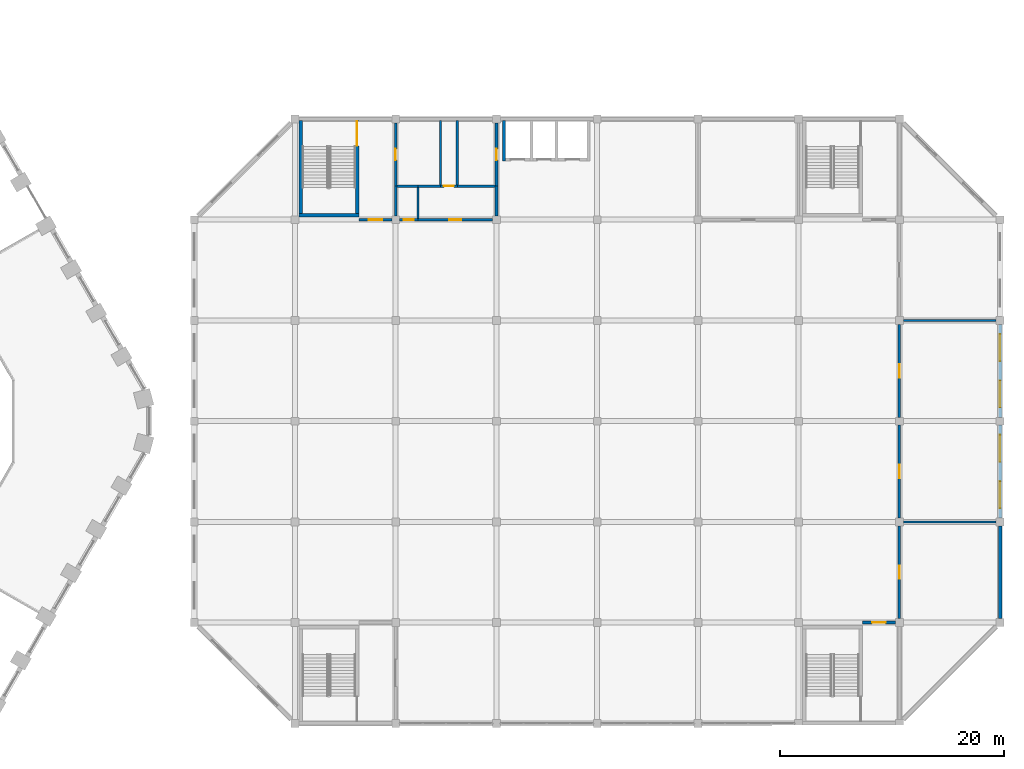
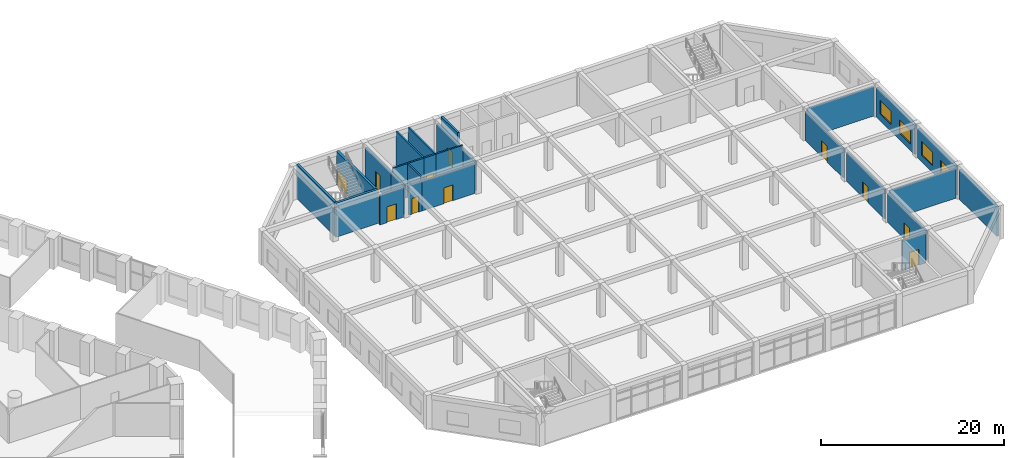
# One storey, part 27 of 42: 27 walls, 11 doors, 4 windows, 15 openings.
"""IFC4 building model written with IfcOpenShell, lengths in metres."""

from ifc_helpers import new_model, si_unit, direction, frame, frame_2d, origin, place, context, subcontext, project, spatial, rectangle, extrude, material, layer, layer_set, type_object, element, fill, save


model = new_model("IFC4")

# Units and contexts
model_context = context("Model", 3, precision=1e-05, world=origin(), true_north=direction((0.0, 1.0)))
body_context = subcontext(model_context, "Body", "Model", "MODEL_VIEW")
ifc_project = project(units=[si_unit("LENGTHUNIT", "METRE"), si_unit("AREAUNIT", "SQUARE_METRE"), si_unit("VOLUMEUNIT", "CUBIC_METRE"), si_unit("PLANEANGLEUNIT", "RADIAN"), si_unit("MASSUNIT", "GRAM", prefix="KILO")], contexts=[model_context])

# Site, building, storey
site_placement = place(None, origin())
site = spatial("IfcSite", under=ifc_project, at=site_placement, CompositionType="ELEMENT")
building_placement = place(site_placement, origin())
building = spatial("IfcBuilding", under=site, at=building_placement, Name="Dhurran Vertical Campus", CompositionType="ELEMENT")
storey_placement = place(building_placement, frame((0.0, 0.0, 6.0)))
storey = spatial("IfcBuildingStorey", under=building, at=storey_placement, Name="L01", CompositionType="ELEMENT", Elevation=6.0)

# Wall
ifc_material_1 = material(Name="Precast concrete C40/50", Category="concrete")
ifc_layer_1 = layer(ifc_material_1, 0.300048828125)
ifc_layer_set_1 = layer_set([ifc_layer_1], Name="Precast concrete C40/50")
wall_type_1 = type_object("IfcWallType", Name="hl-external wall precast 300", PredefinedType="SOLIDWALL", material=ifc_layer_set_1)
wall_1_placement = place(storey_placement, frame((133.5, -17.64990234375, 0.0), z_axis=(0.0, 0.0, 1.0), x_axis=(0.0, 1.0, 0.0)))
element("IfcWall", 1, at=wall_1_placement, inside=storey, type_object=wall_type_1, Name="Hall external wall L01-014", PredefinedType="SOLIDWALL", context=body_context, shape_type="SweptSolid", body=[
    extrude(rectangle(XDim=8.2998046875, YDim=0.300048828125, at=frame_2d((4.14990234375, 0.0))), origin(), (0.0, 0.0, 1.0), 3.89990234375),
])

# Wall, openings, windows
wall_2_placement = place(storey_placement, frame((133.5, -8.64990234375, 0.0), z_axis=(0.0, 0.0, 1.0), x_axis=(0.0, 1.0, 0.0)))
wall_2 = element("IfcWall", 2, at=wall_2_placement, inside=storey, type_object=wall_type_1, Name="Hall external wall L01-016", PredefinedType="SOLIDWALL", context=body_context, shape_type="SweptSolid", body=[
    extrude(rectangle(XDim=8.2998046875, YDim=0.300048828125, at=frame_2d((4.14990234375, 0.0))), origin(), (0.0, 0.0, 1.0), 3.89990234375),
])
opening_1_placement = place(wall_2_placement, frame((0.875, 0.0, 0.89990234375)))
opening_1 = element("IfcOpeningElement", 3, at=opening_1_placement, cuts=wall_2, Name="Opening HWN1", PredefinedType="OPENING", context=body_context, shape_type="SweptSolid", body=[
    extrude(rectangle(XDim=2.39990234375, YDim=1.800048828125, at=frame_2d((1.199951171875, 0.89990234375))), frame((0.0, 0.159912109375, 0.0), z_axis=(0.0, -1.0, 0.0), x_axis=(1.0, 0.0, 0.0)), (0.0, 0.0, 1.0), 0.320068359375),
])
opening_2_placement = place(wall_2_placement, frame((5.02490234375, 0.0, 0.89990234375)))
opening_2 = element("IfcOpeningElement", 4, at=opening_2_placement, cuts=wall_2, Name="Opening HWN1", PredefinedType="OPENING", context=body_context, shape_type="SweptSolid", body=[
    extrude(rectangle(XDim=2.39990234375, YDim=1.800048828125, at=frame_2d((1.199951171875, 0.89990234375))), frame((0.0, 0.159912109375, 0.0), z_axis=(0.0, -1.0, 0.0), x_axis=(1.0, 0.0, 0.0)), (0.0, 0.0, 1.0), 0.320068359375),
])
ifc_material_2 = material(Name="Aluminium", Category="aluminium")
window_type = type_object("IfcWindowType", Name="hl-window 2400x1800", PartitioningType="SINGLE_PANEL", PredefinedType="WINDOW", material=ifc_material_2)
window_1_placement = place(opening_1_placement, origin())
window_1 = element("IfcWindow", 5, at=window_1_placement, inside=storey, type_object=window_type, Name="Hall window L01-015", OverallHeight=1.800048828125, OverallWidth=2.39990234375, PartitioningType="SINGLE_PANEL", PredefinedType="WINDOW", context=body_context, shape_type="SweptSolid", body=[
    extrude(rectangle(XDim=2.39990234375, YDim=1.800048828125, at=frame_2d((1.199951171875, 0.89990234375))), frame((0.0, 0.030029296875, 0.0), z_axis=(0.0, -1.0, 0.0), x_axis=(1.0, 0.0, 0.0)), (0.0, 0.0, 1.0), 0.06005859375),
])
fill(opening_1, window_1)
window_2_placement = place(opening_2_placement, origin())
window_2 = element("IfcWindow", 6, at=window_2_placement, inside=storey, type_object=window_type, Name="Hall window L01-016", OverallHeight=1.800048828125, OverallWidth=2.39990234375, PartitioningType="SINGLE_PANEL", PredefinedType="WINDOW", context=body_context, shape_type="SweptSolid", body=[
    extrude(rectangle(XDim=2.39990234375, YDim=1.800048828125, at=frame_2d((1.199951171875, 0.89990234375))), frame((0.0, 0.030029296875, 0.0), z_axis=(0.0, -1.0, 0.0), x_axis=(1.0, 0.0, 0.0)), (0.0, 0.0, 1.0), 0.06005859375),
])
fill(opening_2, window_2)

wall_3_placement = place(storey_placement, frame((133.5, 0.35009765625, 0.0), z_axis=(0.0, 0.0, 1.0), x_axis=(0.0, 1.0, 0.0)))
wall_3 = element("IfcWall", 7, at=wall_3_placement, inside=storey, type_object=wall_type_1, Name="Hall external wall L01-018", PredefinedType="SOLIDWALL", context=body_context, shape_type="SweptSolid", body=[
    extrude(rectangle(XDim=8.2998046875, YDim=0.300048828125, at=frame_2d((4.14990234375, 0.0))), origin(), (0.0, 0.0, 1.0), 3.89990234375),
])
opening_3_placement = place(wall_3_placement, frame((0.875, 0.0, 0.89990234375)))
opening_3 = element("IfcOpeningElement", 8, at=opening_3_placement, cuts=wall_3, Name="Opening HWN1", PredefinedType="OPENING", context=body_context, shape_type="SweptSolid", body=[
    extrude(rectangle(XDim=2.39990234375, YDim=1.800048828125, at=frame_2d((1.199951171875, 0.89990234375))), frame((0.0, 0.159912109375, 0.0), z_axis=(0.0, -1.0, 0.0), x_axis=(1.0, 0.0, 0.0)), (0.0, 0.0, 1.0), 0.320068359375),
])
opening_4_placement = place(wall_3_placement, frame((5.02490234375, 0.0, 0.89990234375)))
opening_4 = element("IfcOpeningElement", 9, at=opening_4_placement, cuts=wall_3, Name="Opening HWN1", PredefinedType="OPENING", context=body_context, shape_type="SweptSolid", body=[
    extrude(rectangle(XDim=2.39990234375, YDim=1.800048828125, at=frame_2d((1.199951171875, 0.89990234375))), frame((0.0, 0.159912109375, 0.0), z_axis=(0.0, -1.0, 0.0), x_axis=(1.0, 0.0, 0.0)), (0.0, 0.0, 1.0), 0.320068359375),
])
window_3_placement = place(opening_3_placement, origin())
window_3 = element("IfcWindow", 10, at=window_3_placement, inside=storey, type_object=window_type, Name="Hall window L01-017", OverallHeight=1.800048828125, OverallWidth=2.39990234375, PartitioningType="SINGLE_PANEL", PredefinedType="WINDOW", context=body_context, shape_type="SweptSolid", body=[
    extrude(rectangle(XDim=2.39990234375, YDim=1.800048828125, at=frame_2d((1.199951171875, 0.89990234375))), frame((0.0, 0.030029296875, 0.0), z_axis=(0.0, -1.0, 0.0), x_axis=(1.0, 0.0, 0.0)), (0.0, 0.0, 1.0), 0.06005859375),
])
fill(opening_3, window_3)
window_4_placement = place(opening_4_placement, origin())
window_4 = element("IfcWindow", 11, at=window_4_placement, inside=storey, type_object=window_type, Name="Hall window L01-018", OverallHeight=1.800048828125, OverallWidth=2.39990234375, PartitioningType="SINGLE_PANEL", PredefinedType="WINDOW", context=body_context, shape_type="SweptSolid", body=[
    extrude(rectangle(XDim=2.39990234375, YDim=1.800048828125, at=frame_2d((1.199951171875, 0.89990234375))), frame((0.0, 0.030029296875, 0.0), z_axis=(0.0, -1.0, 0.0), x_axis=(1.0, 0.0, 0.0)), (0.0, 0.0, 1.0), 0.06005859375),
])
fill(opening_4, window_4)

# Wall
ifc_material_3 = material(Name="Concrete C40/50", Category="concrete")
ifc_layer_2 = layer(ifc_material_3, 0.25)
ifc_layer_set_2 = layer_set([ifc_layer_2], Name="Concrete C40/50")
wall_type_2 = type_object("IfcWallType", Name="hl-lift shaft wall 250", PredefinedType="SHEAR", material=ifc_layer_set_2)
wall_4_placement = place(storey_placement, frame((89.175048828125, 23.25, 0.0), z_axis=(0.0, 0.0, 1.0), x_axis=(0.0, 1.0, 0.0)))
element("IfcWall", 12, at=wall_4_placement, inside=storey, type_object=wall_type_2, Name="Lift shaft wall V0 L01", PredefinedType="SHEAR", context=body_context, shape_type="SweptSolid", body=[
    extrude(rectangle(XDim=3.60009765625, YDim=0.25, at=frame_2d((1.800048828125, 0.0))), origin(), (0.0, 0.0, 1.0), 4.52001953125),
])

# Wall, opening, door
ifc_material_4 = material(Name="Masonry blockwork", Category="masonry")
ifc_layer_3 = layer(ifc_material_4, 0.199951171875)
ifc_layer_set_3 = layer_set([ifc_layer_3], Name="Masonry blockwork")
wall_type_3 = type_object("IfcWallType", Name="hl-partition blockwork 200 EI 60", PredefinedType="PARTITIONING", material=ifc_layer_set_3)
wall_5_placement = place(storey_placement, frame((79.85009765625, 18.0, 0.0), z_axis=(0.0, 0.0, 1.0), x_axis=(1.0, 0.0, 0.0)))
wall_5 = element("IfcWall", 13, at=wall_5_placement, inside=storey, type_object=wall_type_3, Name="Hall partition L01-005", PredefinedType="PARTITIONING", context=body_context, shape_type="SweptSolid", body=[
    extrude(rectangle(XDim=1.64990234375, YDim=0.199951171875, at=frame_2d((0.824951171875, 0.0))), origin(), (0.0, 0.0, 1.0), 3.89990234375),
])
opening_5_placement = place(wall_5_placement, frame((0.375, 0.0, 0.0)))
opening_5 = element("IfcOpeningElement", 14, at=opening_5_placement, cuts=wall_5, Name="Opening HD106", PredefinedType="OPENING", context=body_context, shape_type="SweptSolid", body=[
    extrude(rectangle(XDim=0.89990234375, YDim=2.10009765625, at=frame_2d((0.449951171875, 1.050048828125))), frame((0.0, 0.10986328125, 0.0), z_axis=(0.0, -1.0, 0.0), x_axis=(1.0, 0.0, 0.0)), (0.0, 0.0, 1.0), 0.219970703125),
])
ifc_material_5 = material(Name="Fire-rated steel door set", Category="steel")
door_type_1 = type_object("IfcDoorType", Name="hl-door 900x2100 single FD30S", OperationType="NOTDEFINED", PredefinedType="DOOR", material=ifc_material_5)
door_1_placement = place(opening_5_placement, origin())
door_1 = element("IfcDoor", 15, at=door_1_placement, inside=storey, type_object=door_type_1, Name="Door HD106", OperationType="SINGLE_SWING_RIGHT", OverallHeight=2.10009765625, OverallWidth=0.89990234375, PredefinedType="DOOR", context=body_context, shape_type="SweptSolid", body=[
    extrude(rectangle(XDim=0.89990234375, YDim=2.10009765625, at=frame_2d((0.449951171875, 1.050048828125))), frame((0.0, 0.02490234375, 0.0), z_axis=(0.0, -1.0, 0.0), x_axis=(1.0, 0.0, 0.0)), (0.0, 0.0, 1.0), 0.050048828125),
])
fill(opening_5, door_1)

# Walls
wall_6_placement = place(storey_placement, frame((79.60009765625, 21.0, 0.0), z_axis=(0.0, 0.0, 1.0), x_axis=(1.0, 0.0, 0.0)))
element("IfcWall", 16, at=wall_6_placement, inside=storey, type_object=wall_type_3, Name="Hall partition L01-007", PredefinedType="PARTITIONING", context=body_context, shape_type="SweptSolid", body=[
    extrude(rectangle(XDim=1.89990234375, YDim=0.199951171875, at=frame_2d((0.949951171875, 0.0))), origin(), (0.0, 0.0, 1.0), 4.52001953125),
])
wall_7_placement = place(storey_placement, frame((81.5, 18.10009765625, 0.0), z_axis=(0.0, 0.0, 1.0), x_axis=(0.0, 1.0, 0.0)))
element("IfcWall", 17, at=wall_7_placement, inside=storey, type_object=wall_type_3, Name="Hall partition L01-008", PredefinedType="PARTITIONING", context=body_context, shape_type="SweptSolid", body=[
    extrude(rectangle(XDim=2.89990234375, YDim=0.199951171875, at=frame_2d((1.449951171875, 0.0))), origin(), (0.0, 0.0, 1.0), 4.52001953125),
])

# Wall, opening, door
wall_8_placement = place(storey_placement, frame((81.5, 18.0, 0.0), z_axis=(0.0, 0.0, 1.0), x_axis=(1.0, 0.0, 0.0)))
wall_8 = element("IfcWall", 18, at=wall_8_placement, inside=storey, type_object=wall_type_3, Name="Hall partition L01-009", PredefinedType="PARTITIONING", context=body_context, shape_type="SweptSolid", body=[
    extrude(rectangle(XDim=6.64990234375, YDim=0.199951171875, at=frame_2d((3.324951171875, 0.0))), origin(), (0.0, 0.0, 1.0), 3.89990234375),
])
opening_6_placement = place(wall_8_placement, frame((2.77490234375, 0.0, 0.0)))
opening_6 = element("IfcOpeningElement", 19, at=opening_6_placement, cuts=wall_8, Name="Opening HD105", PredefinedType="OPENING", context=body_context, shape_type="SweptSolid", body=[
    extrude(rectangle(XDim=1.10009765625, YDim=2.10009765625, at=frame_2d((0.550048828125, 1.050048828125))), frame((0.0, 0.10986328125, 0.0), z_axis=(0.0, -1.0, 0.0), x_axis=(1.0, 0.0, 0.0)), (0.0, 0.0, 1.0), 0.219970703125),
])
ifc_material_6 = material(Name="Fire-rated steel door set", Category="steel")
door_type_2 = type_object("IfcDoorType", Name="hl-door 1100x2100 single FD30S", OperationType="NOTDEFINED", PredefinedType="DOOR", material=ifc_material_6)
door_2_placement = place(opening_6_placement, origin())
door_2 = element("IfcDoor", 20, at=door_2_placement, inside=storey, type_object=door_type_2, Name="Door HD105", OperationType="SINGLE_SWING_LEFT", OverallHeight=2.10009765625, OverallWidth=1.10009765625, PredefinedType="DOOR", context=body_context, shape_type="SweptSolid", body=[
    extrude(rectangle(XDim=1.10009765625, YDim=2.10009765625, at=frame_2d((0.550048828125, 1.050048828125))), frame((0.0, 0.02490234375, 0.0), z_axis=(0.0, -1.0, 0.0), x_axis=(1.0, 0.0, 0.0)), (0.0, 0.0, 1.0), 0.050048828125),
])
fill(opening_6, door_2)

# Walls
wall_9_placement = place(storey_placement, frame((81.5, 21.0, 0.0), z_axis=(0.0, 0.0, 1.0), x_axis=(1.0, 0.0, 0.0)))
element("IfcWall", 21, at=wall_9_placement, inside=storey, type_object=wall_type_3, Name="Hall partition L01-010", PredefinedType="PARTITIONING", context=body_context, shape_type="SweptSolid", body=[
    extrude(rectangle(XDim=2.0, YDim=0.199951171875, at=frame_2d((1.0, 0.0))), origin(), (0.0, 0.0, 1.0), 4.52001953125),
])
wall_10_placement = place(storey_placement, frame((83.5, 21.0, 0.0), z_axis=(0.0, 0.0, 1.0), x_axis=(0.0, 1.0, 0.0)))
element("IfcWall", 22, at=wall_10_placement, inside=storey, type_object=wall_type_3, Name="Hall partition L01-011", PredefinedType="PARTITIONING", context=body_context, shape_type="SweptSolid", body=[
    extrude(rectangle(XDim=5.85009765625, YDim=0.199951171875, at=frame_2d((2.925048828125, 0.0))), origin(), (0.0, 0.0, 1.0), 4.52001953125),
])

# Wall, opening, door
wall_11_placement = place(storey_placement, frame((83.5, 21.0, 0.0), z_axis=(0.0, 0.0, 1.0), x_axis=(1.0, 0.0, 0.0)))
wall_11 = element("IfcWall", 23, at=wall_11_placement, inside=storey, type_object=wall_type_3, Name="Hall partition L01-012", PredefinedType="PARTITIONING", context=body_context, shape_type="SweptSolid", body=[
    extrude(rectangle(XDim=1.5, YDim=0.199951171875, at=frame_2d((0.75, 0.0))), origin(), (0.0, 0.0, 1.0), 4.52001953125),
])
opening_7_placement = place(wall_11_placement, frame((0.300048828125, 0.0, 0.0)))
opening_7 = element("IfcOpeningElement", 24, at=opening_7_placement, cuts=wall_11, Name="Opening HD108", PredefinedType="OPENING", context=body_context, shape_type="SweptSolid", body=[
    extrude(rectangle(XDim=0.89990234375, YDim=2.10009765625, at=frame_2d((0.449951171875, 1.050048828125))), frame((0.0, 0.10986328125, 0.0), z_axis=(0.0, -1.0, 0.0), x_axis=(1.0, 0.0, 0.0)), (0.0, 0.0, 1.0), 0.219970703125),
])
door_3_placement = place(opening_7_placement, origin())
door_3 = element("IfcDoor", 25, at=door_3_placement, inside=storey, type_object=door_type_1, Name="Door HD108", OperationType="SINGLE_SWING_RIGHT", OverallHeight=2.10009765625, OverallWidth=0.89990234375, PredefinedType="DOOR", context=body_context, shape_type="SweptSolid", body=[
    extrude(rectangle(XDim=0.89990234375, YDim=2.10009765625, at=frame_2d((0.449951171875, 1.050048828125))), frame((0.0, 0.02490234375, 0.0), z_axis=(0.0, -1.0, 0.0), x_axis=(1.0, 0.0, 0.0)), (0.0, 0.0, 1.0), 0.050048828125),
])
fill(opening_7, door_3)

# Walls
wall_12_placement = place(storey_placement, frame((85.0, 21.0, 0.0), z_axis=(0.0, 0.0, 1.0), x_axis=(0.0, 1.0, 0.0)))
element("IfcWall", 26, at=wall_12_placement, inside=storey, type_object=wall_type_3, Name="Hall partition L01-013", PredefinedType="PARTITIONING", context=body_context, shape_type="SweptSolid", body=[
    extrude(rectangle(XDim=5.85009765625, YDim=0.199951171875, at=frame_2d((2.925048828125, 0.0))), origin(), (0.0, 0.0, 1.0), 4.52001953125),
])
wall_13_placement = place(storey_placement, frame((85.0, 21.0, 0.0), z_axis=(0.0, 0.0, 1.0), x_axis=(1.0, 0.0, 0.0)))
element("IfcWall", 27, at=wall_13_placement, inside=storey, type_object=wall_type_3, Name="Hall partition L01-014", PredefinedType="PARTITIONING", context=body_context, shape_type="SweptSolid", body=[
    extrude(rectangle(XDim=3.39990234375, YDim=0.199951171875, at=frame_2d((1.699951171875, 0.0))), origin(), (0.0, 0.0, 1.0), 4.52001953125),
])

# Wall, opening, door
wall_14_placement = place(storey_placement, frame((124.5, -17.64990234375, 0.0), z_axis=(0.0, 0.0, 1.0), x_axis=(0.0, 1.0, 0.0)))
wall_14 = element("IfcWall", 28, at=wall_14_placement, inside=storey, type_object=wall_type_3, Name="Hall partition L01-023", PredefinedType="PARTITIONING", context=body_context, shape_type="SweptSolid", body=[
    extrude(rectangle(XDim=8.2998046875, YDim=0.199951171875, at=frame_2d((4.14990234375, 0.0))), origin(), (0.0, 0.0, 1.0), 3.89990234375),
])
opening_8_placement = place(wall_14_placement, frame((3.550048828125, 0.0, 0.0)))
opening_8 = element("IfcOpeningElement", 29, at=opening_8_placement, cuts=wall_14, Name="Opening HD111", PredefinedType="OPENING", context=body_context, shape_type="SweptSolid", body=[
    extrude(rectangle(XDim=1.199951171875, YDim=2.10009765625, at=frame_2d((0.60009765625, 1.050048828125))), frame((0.0, 0.10986328125, 0.0), z_axis=(0.0, -1.0, 0.0), x_axis=(1.0, 0.0, 0.0)), (0.0, 0.0, 1.0), 0.219970703125),
])
ifc_material_7 = material(Name="Fire-rated steel door set", Category="steel")
door_type_3 = type_object("IfcDoorType", Name="hl-door 1200x2100 single FD30S", OperationType="NOTDEFINED", PredefinedType="DOOR", material=ifc_material_7)
door_4_placement = place(opening_8_placement, origin())
door_4 = element("IfcDoor", 30, at=door_4_placement, inside=storey, type_object=door_type_3, Name="Door HD111", OperationType="SINGLE_SWING_LEFT", OverallHeight=2.10009765625, OverallWidth=1.199951171875, PredefinedType="DOOR", context=body_context, shape_type="SweptSolid", body=[
    extrude(rectangle(XDim=1.199951171875, YDim=2.10009765625, at=frame_2d((0.60009765625, 1.050048828125))), frame((0.0, 0.02490234375, 0.0), z_axis=(0.0, -1.0, 0.0), x_axis=(1.0, 0.0, 0.0)), (0.0, 0.0, 1.0), 0.050048828125),
])
fill(opening_8, door_4)

wall_15_placement = place(storey_placement, frame((124.5, -8.64990234375, 0.0), z_axis=(0.0, 0.0, 1.0), x_axis=(0.0, 1.0, 0.0)))
wall_15 = element("IfcWall", 31, at=wall_15_placement, inside=storey, type_object=wall_type_3, Name="Hall partition L01-024", PredefinedType="PARTITIONING", context=body_context, shape_type="SweptSolid", body=[
    extrude(rectangle(XDim=8.2998046875, YDim=0.199951171875, at=frame_2d((4.14990234375, 0.0))), origin(), (0.0, 0.0, 1.0), 3.89990234375),
])
opening_9_placement = place(wall_15_placement, frame((3.550048828125, 0.0, 0.0)))
opening_9 = element("IfcOpeningElement", 32, at=opening_9_placement, cuts=wall_15, Name="Opening HD112", PredefinedType="OPENING", context=body_context, shape_type="SweptSolid", body=[
    extrude(rectangle(XDim=1.199951171875, YDim=2.10009765625, at=frame_2d((0.60009765625, 1.050048828125))), frame((0.0, 0.10986328125, 0.0), z_axis=(0.0, -1.0, 0.0), x_axis=(1.0, 0.0, 0.0)), (0.0, 0.0, 1.0), 0.219970703125),
])
door_5_placement = place(opening_9_placement, origin())
door_5 = element("IfcDoor", 33, at=door_5_placement, inside=storey, type_object=door_type_3, Name="Door HD112", OperationType="SINGLE_SWING_RIGHT", OverallHeight=2.10009765625, OverallWidth=1.199951171875, PredefinedType="DOOR", context=body_context, shape_type="SweptSolid", body=[
    extrude(rectangle(XDim=1.199951171875, YDim=2.10009765625, at=frame_2d((0.60009765625, 1.050048828125))), frame((0.0, 0.02490234375, 0.0), z_axis=(0.0, -1.0, 0.0), x_axis=(1.0, 0.0, 0.0)), (0.0, 0.0, 1.0), 0.050048828125),
])
fill(opening_9, door_5)

wall_16_placement = place(storey_placement, frame((124.5, 0.35009765625, 0.0), z_axis=(0.0, 0.0, 1.0), x_axis=(0.0, 1.0, 0.0)))
wall_16 = element("IfcWall", 34, at=wall_16_placement, inside=storey, type_object=wall_type_3, Name="Hall partition L01-025", PredefinedType="PARTITIONING", context=body_context, shape_type="SweptSolid", body=[
    extrude(rectangle(XDim=8.2998046875, YDim=0.199951171875, at=frame_2d((4.14990234375, 0.0))), origin(), (0.0, 0.0, 1.0), 3.89990234375),
])
opening_10_placement = place(wall_16_placement, frame((3.550048828125, 0.0, 0.0)))
opening_10 = element("IfcOpeningElement", 35, at=opening_10_placement, cuts=wall_16, Name="Opening HD113", PredefinedType="OPENING", context=body_context, shape_type="SweptSolid", body=[
    extrude(rectangle(XDim=1.199951171875, YDim=2.10009765625, at=frame_2d((0.60009765625, 1.050048828125))), frame((0.0, 0.10986328125, 0.0), z_axis=(0.0, -1.0, 0.0), x_axis=(1.0, 0.0, 0.0)), (0.0, 0.0, 1.0), 0.219970703125),
])
door_6_placement = place(opening_10_placement, origin())
door_6 = element("IfcDoor", 36, at=door_6_placement, inside=storey, type_object=door_type_3, Name="Door HD113", OperationType="SINGLE_SWING_LEFT", OverallHeight=2.10009765625, OverallWidth=1.199951171875, PredefinedType="DOOR", context=body_context, shape_type="SweptSolid", body=[
    extrude(rectangle(XDim=1.199951171875, YDim=2.10009765625, at=frame_2d((0.60009765625, 1.050048828125))), frame((0.0, 0.02490234375, 0.0), z_axis=(0.0, -1.0, 0.0), x_axis=(1.0, 0.0, 0.0)), (0.0, 0.0, 1.0), 0.050048828125),
])
fill(opening_10, door_6)

# Walls
for number, where, z_axis, x_axis, name in (
    (37, (124.85009765625, -9.0, 0.0), (0.0, 0.0, 1.0), (1.0, 0.0, 0.0), "Hall partition L01-026"),
    (38, (124.85009765625, 9.0, 0.0), (0.0, 0.0, 1.0), (1.0, 0.0, 0.0), "Hall partition L01-028"),
):
    element("IfcWall", number, at=place(storey_placement, frame(where, z_axis=z_axis, x_axis=x_axis)), inside=storey, type_object=wall_type_3, Name=name, PredefinedType="PARTITIONING", context=body_context, shape_type="SweptSolid", body=[
        extrude(rectangle(XDim=8.2998046875, YDim=0.199951171875, at=frame_2d((4.14990234375, 0.0))), origin(), (0.0, 0.0, 1.0), 3.89990234375),
    ])

# Wall, opening, door
ifc_material_8 = material(Name="Masonry blockwork", Category="masonry")
ifc_layer_4 = layer(ifc_material_8, 0.25)
ifc_layer_set_4 = layer_set([ifc_layer_4], Name="Masonry blockwork")
wall_type_4 = type_object("IfcWallType", Name="hl-partition blockwork 250 EI 120", PredefinedType="PARTITIONING", material=ifc_layer_set_4)
wall_17_placement = place(storey_placement, frame((76.199951171875, 18.0, 0.0), z_axis=(0.0, 0.0, 1.0), x_axis=(1.0, 0.0, 0.0)))
wall_17 = element("IfcWall", 39, at=wall_17_placement, inside=storey, type_object=wall_type_4, Name="Hall partition L01-002", PredefinedType="PARTITIONING", context=body_context, shape_type="SweptSolid", body=[
    extrude(rectangle(XDim=2.949951171875, YDim=0.25, at=frame_2d((1.47509765625, 0.0))), origin(), (0.0, 0.0, 1.0), 3.89990234375),
])
opening_11_placement = place(wall_17_placement, frame((0.875, 0.0, 0.0)))
opening_11 = element("IfcOpeningElement", 40, at=opening_11_placement, cuts=wall_17, Name="Opening HD103", PredefinedType="OPENING", context=body_context, shape_type="SweptSolid", body=[
    extrude(rectangle(XDim=1.199951171875, YDim=2.10009765625, at=frame_2d((0.60009765625, 1.050048828125))), frame((0.0, 0.135009765625, 0.0), z_axis=(0.0, -1.0, 0.0), x_axis=(1.0, 0.0, 0.0)), (0.0, 0.0, 1.0), 0.27001953125),
])
ifc_material_9 = material(Name="Fire-rated steel door set", Category="steel")
door_type_4 = type_object("IfcDoorType", Name="hl-door 1200x2100 single FD90", OperationType="NOTDEFINED", PredefinedType="DOOR", material=ifc_material_9)
door_7_placement = place(opening_11_placement, origin())
door_7 = element("IfcDoor", 41, at=door_7_placement, inside=storey, type_object=door_type_4, Name="Door HD103", OperationType="SINGLE_SWING_LEFT", OverallHeight=2.10009765625, OverallWidth=1.199951171875, PredefinedType="DOOR", context=body_context, shape_type="SweptSolid", body=[
    extrude(rectangle(XDim=1.199951171875, YDim=2.10009765625, at=frame_2d((0.60009765625, 1.050048828125))), frame((0.0, 0.02490234375, 0.0), z_axis=(0.0, -1.0, 0.0), x_axis=(1.0, 0.0, 0.0)), (0.0, 0.0, 1.0), 0.050048828125),
])
fill(opening_11, door_7)

# Wall
wall_18_placement = place(storey_placement, frame((79.5, 18.35009765625, 0.0), z_axis=(0.0, 0.0, 1.0), x_axis=(0.0, 1.0, 0.0)))
element("IfcWall", 42, at=wall_18_placement, inside=storey, type_object=wall_type_4, Name="Hall partition L01-004", PredefinedType="PARTITIONING", context=body_context, shape_type="SweptSolid", body=[
    extrude(rectangle(XDim=2.64990234375, YDim=0.25, at=frame_2d((1.324951171875, 0.0))), origin(), (0.0, 0.0, 1.0), 3.89990234375),
])

# Wall, opening, door
wall_19_placement = place(storey_placement, frame((79.5, 21.0, 0.0), z_axis=(0.0, 0.0, 1.0), x_axis=(0.0, 1.0, 0.0)))
wall_19 = element("IfcWall", 43, at=wall_19_placement, inside=storey, type_object=wall_type_4, Name="Hall partition L01-006", PredefinedType="PARTITIONING", context=body_context, shape_type="SweptSolid", body=[
    extrude(rectangle(XDim=5.64990234375, YDim=0.25, at=frame_2d((2.824951171875, 0.0))), origin(), (0.0, 0.0, 1.0), 3.89990234375),
])
opening_12_placement = place(wall_19_placement, frame((2.324951171875, 0.0, 0.0)))
opening_12 = element("IfcOpeningElement", 44, at=opening_12_placement, cuts=wall_19, Name="Opening HD107", PredefinedType="OPENING", context=body_context, shape_type="SweptSolid", body=[
    extrude(rectangle(XDim=1.0, YDim=2.10009765625, at=frame_2d((0.5, 1.050048828125))), frame((0.0, 0.135009765625, 0.0), z_axis=(0.0, -1.0, 0.0), x_axis=(1.0, 0.0, 0.0)), (0.0, 0.0, 1.0), 0.27001953125),
])
ifc_material_10 = material(Name="Fire-rated steel door set", Category="steel")
door_type_5 = type_object("IfcDoorType", Name="hl-door 1000x2100 single FD90", OperationType="NOTDEFINED", PredefinedType="DOOR", material=ifc_material_10)
door_8_placement = place(opening_12_placement, origin())
door_8 = element("IfcDoor", 45, at=door_8_placement, inside=storey, type_object=door_type_5, Name="Door HD107", OperationType="SINGLE_SWING_LEFT", OverallHeight=2.10009765625, OverallWidth=1.0, PredefinedType="DOOR", context=body_context, shape_type="SweptSolid", body=[
    extrude(rectangle(XDim=1.0, YDim=2.10009765625, at=frame_2d((0.5, 1.050048828125))), frame((0.0, 0.02490234375, 0.0), z_axis=(0.0, -1.0, 0.0), x_axis=(1.0, 0.0, 0.0)), (0.0, 0.0, 1.0), 0.050048828125),
])
fill(opening_12, door_8)

# Wall
wall_20_placement = place(storey_placement, frame((88.5, 18.35009765625, 0.0), z_axis=(0.0, 0.0, 1.0), x_axis=(0.0, 1.0, 0.0)))
element("IfcWall", 46, at=wall_20_placement, inside=storey, type_object=wall_type_4, Name="Hall partition L01-015", PredefinedType="PARTITIONING", context=body_context, shape_type="SweptSolid", body=[
    extrude(rectangle(XDim=2.64990234375, YDim=0.25, at=frame_2d((1.324951171875, 0.0))), origin(), (0.0, 0.0, 1.0), 3.89990234375),
])

# Wall, opening, door
wall_21_placement = place(storey_placement, frame((88.5, 21.0, 0.0), z_axis=(0.0, 0.0, 1.0), x_axis=(0.0, 1.0, 0.0)))
wall_21 = element("IfcWall", 47, at=wall_21_placement, inside=storey, type_object=wall_type_4, Name="Hall partition L01-016", PredefinedType="PARTITIONING", context=body_context, shape_type="SweptSolid", body=[
    extrude(rectangle(XDim=5.64990234375, YDim=0.25, at=frame_2d((2.824951171875, 0.0))), origin(), (0.0, 0.0, 1.0), 3.89990234375),
])
opening_13_placement = place(wall_21_placement, frame((2.324951171875, 0.0, 0.0)))
opening_13 = element("IfcOpeningElement", 48, at=opening_13_placement, cuts=wall_21, Name="Opening HD109", PredefinedType="OPENING", context=body_context, shape_type="SweptSolid", body=[
    extrude(rectangle(XDim=1.0, YDim=2.10009765625, at=frame_2d((0.5, 1.050048828125))), frame((0.0, 0.135009765625, 0.0), z_axis=(0.0, -1.0, 0.0), x_axis=(1.0, 0.0, 0.0)), (0.0, 0.0, 1.0), 0.27001953125),
])
door_9_placement = place(opening_13_placement, origin())
door_9 = element("IfcDoor", 49, at=door_9_placement, inside=storey, type_object=door_type_5, Name="Door HD109", OperationType="SINGLE_SWING_LEFT", OverallHeight=2.10009765625, OverallWidth=1.0, PredefinedType="DOOR", context=body_context, shape_type="SweptSolid", body=[
    extrude(rectangle(XDim=1.0, YDim=2.10009765625, at=frame_2d((0.5, 1.050048828125))), frame((0.0, 0.02490234375, 0.0), z_axis=(0.0, -1.0, 0.0), x_axis=(1.0, 0.0, 0.0)), (0.0, 0.0, 1.0), 0.050048828125),
])
fill(opening_13, door_9)

wall_22_placement = place(storey_placement, frame((121.199951171875, -18.0, 0.0), z_axis=(0.0, 0.0, 1.0), x_axis=(1.0, 0.0, 0.0)))
wall_22 = element("IfcWall", 50, at=wall_22_placement, inside=storey, type_object=wall_type_4, Name="Hall partition L01-020", PredefinedType="PARTITIONING", context=body_context, shape_type="SweptSolid", body=[
    extrude(rectangle(XDim=2.949951171875, YDim=0.25, at=frame_2d((1.47509765625, 0.0))), origin(), (0.0, 0.0, 1.0), 3.89990234375),
])
opening_14_placement = place(wall_22_placement, frame((0.875, 0.0, 0.0)))
opening_14 = element("IfcOpeningElement", 51, at=opening_14_placement, cuts=wall_22, Name="Opening HD102", PredefinedType="OPENING", context=body_context, shape_type="SweptSolid", body=[
    extrude(rectangle(XDim=1.199951171875, YDim=2.10009765625, at=frame_2d((0.60009765625, 1.050048828125))), frame((0.0, 0.135009765625, 0.0), z_axis=(0.0, -1.0, 0.0), x_axis=(1.0, 0.0, 0.0)), (0.0, 0.0, 1.0), 0.27001953125),
])
door_10_placement = place(opening_14_placement, origin())
door_10 = element("IfcDoor", 52, at=door_10_placement, inside=storey, type_object=door_type_4, Name="Door HD102", OperationType="SINGLE_SWING_RIGHT", OverallHeight=2.10009765625, OverallWidth=1.199951171875, PredefinedType="DOOR", context=body_context, shape_type="SweptSolid", body=[
    extrude(rectangle(XDim=1.199951171875, YDim=2.10009765625, at=frame_2d((0.60009765625, 1.050048828125))), frame((0.0, 0.02490234375, 0.0), z_axis=(0.0, -1.0, 0.0), x_axis=(1.0, 0.0, 0.0)), (0.0, 0.0, 1.0), 0.050048828125),
])
fill(opening_14, door_10)

# Wall
ifc_material_11 = material(Name="Concrete C40/50", Category="concrete")
ifc_layer_5 = layer(ifc_material_11, 0.300048828125)
ifc_layer_set_5 = layer_set([ifc_layer_5], Name="Concrete C40/50")
wall_type_5 = type_object("IfcWallType", Name="hl-stair shaft wall 300", PredefinedType="SHEAR", material=ifc_layer_set_5)
wall_23_placement = place(storey_placement, frame((71.0, 26.85009765625, 0.0), z_axis=(0.0, 0.0, 1.0), x_axis=(0.0, -1.0, 0.0)))
element("IfcWall", 53, at=wall_23_placement, inside=storey, type_object=wall_type_5, Name="Stair shaft wall HST3 W L01", PredefinedType="SHEAR", context=body_context, shape_type="SweptSolid", body=[
    extrude(rectangle(XDim=8.300048828125, YDim=0.300048828125, at=frame_2d((4.14990234375, 0.0))), origin(), (0.0, 0.0, 1.0), 4.52001953125),
])

# Wall, opening, door
wall_24_placement = place(storey_placement, frame((76.050048828125, 26.85009765625, 0.0), z_axis=(0.0, 0.0, 1.0), x_axis=(0.0, -1.0, 0.0)))
wall_24 = element("IfcWall", 54, at=wall_24_placement, inside=storey, type_object=wall_type_5, Name="Stair shaft wall HST3 E L01", PredefinedType="SHEAR", context=body_context, shape_type="SweptSolid", body=[
    extrude(rectangle(XDim=8.300048828125, YDim=0.300048828125, at=frame_2d((4.14990234375, 0.0))), origin(), (0.0, 0.0, 1.0), 4.52001953125),
])
opening_15_placement = place(wall_24_placement, frame((0.050048828125, 0.0, 0.0)))
opening_15 = element("IfcOpeningElement", 55, at=opening_15_placement, cuts=wall_24, Name="Opening HDS13", PredefinedType="OPENING", context=body_context, shape_type="SweptSolid", body=[
    extrude(rectangle(XDim=2.199951171875, YDim=2.10009765625, at=frame_2d((1.10009765625, 1.050048828125))), frame((0.0, 0.159912109375, 0.0), z_axis=(0.0, -1.0, 0.0), x_axis=(1.0, 0.0, 0.0)), (0.0, 0.0, 1.0), 0.320068359375),
])
ifc_material_12 = material(Name="Fire-rated steel door set", Category="steel")
door_type_6 = type_object("IfcDoorType", Name="hl-door 2200x2100 double FD90", OperationType="NOTDEFINED", PredefinedType="DOOR", material=ifc_material_12)
door_11_placement = place(opening_15_placement, origin())
door_11 = element("IfcDoor", 56, at=door_11_placement, inside=storey, type_object=door_type_6, Name="Door HDS13", OperationType="DOUBLE_DOOR_SINGLE_SWING", OverallHeight=2.10009765625, OverallWidth=2.199951171875, PredefinedType="DOOR", context=body_context, shape_type="SweptSolid", body=[
    extrude(rectangle(XDim=2.199951171875, YDim=2.10009765625, at=frame_2d((1.10009765625, 1.050048828125))), frame((0.0, 0.02490234375, 0.0), z_axis=(0.0, -1.0, 0.0), x_axis=(1.0, 0.0, 0.0)), (0.0, 0.0, 1.0), 0.050048828125),
])
fill(opening_15, door_11)

# Wall
wall_25_placement = place(storey_placement, frame((70.85009765625, 18.39990234375, 0.0), z_axis=(0.0, 0.0, 1.0), x_axis=(1.0, 0.0, 0.0)))
element("IfcWall", 57, at=wall_25_placement, inside=storey, type_object=wall_type_5, Name="Stair shaft wall HST3 F L01", PredefinedType="SHEAR", context=body_context, shape_type="SweptSolid", body=[
    extrude(rectangle(XDim=5.349853515625, YDim=0.300048828125, at=frame_2d((2.6748046875, 0.0))), origin(), (0.0, 0.0, 1.0), 4.52001953125),
])

save(model, "model.ifc")
